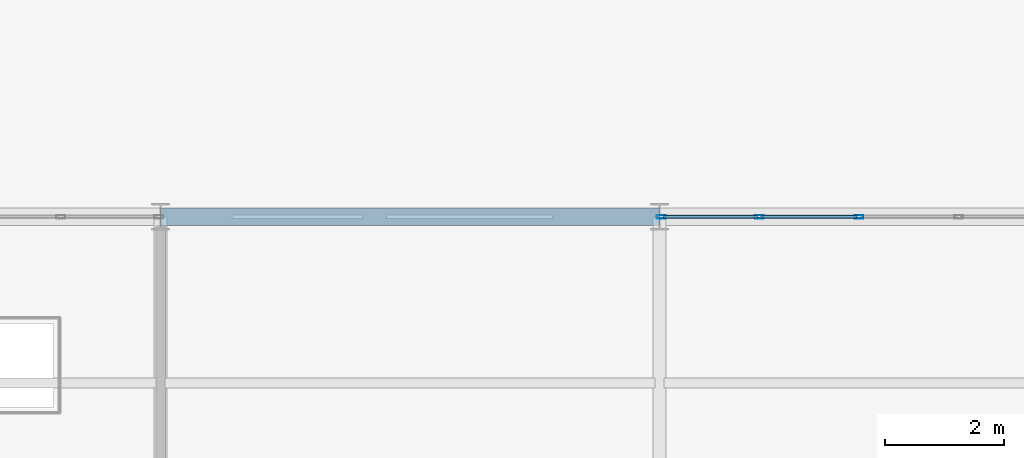
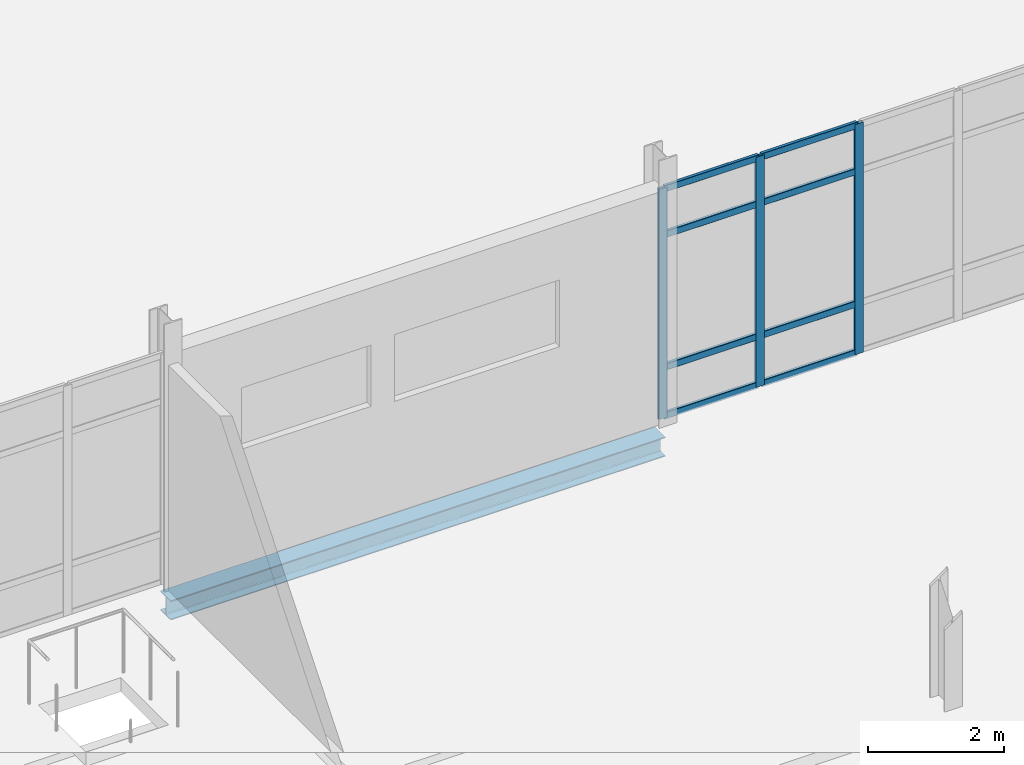
# One storey, part 100 of 145: 11 members, 1 beam, 1 element without a shape of its own.
"""IFC4 building model written with IfcOpenShell, lengths in metres."""

from ifc_helpers import new_model, si_unit, direction, frame, origin, origin_2d, place, context, subcontext, project, spatial, hollow_rectangle, i_section, extrude, material, layer, layer_set, material_profile, profile_set, type_object, element, aggregate, save


model = new_model("IFC4")

# Units and contexts
model_context = context("Model", 3, precision=1e-05, world=origin(), true_north=direction((0.0, 1.0)))
body_context = subcontext(model_context, "Body", "Model", "MODEL_VIEW")
ifc_project = project(units=[si_unit("LENGTHUNIT", "METRE"), si_unit("AREAUNIT", "SQUARE_METRE"), si_unit("VOLUMEUNIT", "CUBIC_METRE"), si_unit("PLANEANGLEUNIT", "RADIAN"), si_unit("MASSUNIT", "GRAM", prefix="KILO")], contexts=[model_context])

# Site, building, storey
site_placement = place(None, origin())
site = spatial("IfcSite", under=ifc_project, at=site_placement, CompositionType="ELEMENT")
building_placement = place(site_placement, origin())
building = spatial("IfcBuilding", under=site, at=building_placement, Name="Qalvenar Corner Mobility Hub", CompositionType="ELEMENT")
storey_placement = place(building_placement, origin())
storey = spatial("IfcBuildingStorey", under=building, at=storey_placement, Name="L00", CompositionType="ELEMENT", Elevation=0.0)

# Beam
ifc_material_1 = material(Name="Steel S355", Category="steel")
ifc_material_profile_1 = material_profile(ifc_material_1, i_section(OverallWidth=0.300048828125, OverallDepth=0.35009765625, WebThickness=0.010009765625, FlangeThickness=0.017578125, FilletRadius=0.027099609375, at=origin_2d()), Name="HEA360")
ifc_profile_set_1 = profile_set([ifc_material_profile_1], Name="Steel S355")
beam_type = type_object("IfcBeamType", Name="BM-SPN360", PredefinedType="SPANDREL", material=ifc_profile_set_1)
beam_placement = place(storey_placement, frame((134.39990234375, 50.39990234375, -0.425048828125), z_axis=(1.0, 0.0, 0.0), x_axis=(0.0, 1.0, 0.0)))
element("IfcBeam", 1, at=beam_placement, inside=storey, type_object=beam_type, Name="Primary Steel Girder GX-0293", PredefinedType="SPANDREL", context=body_context, shape_type="SweptSolid", body=[
    extrude(i_section(OverallWidth=0.300048828125, OverallDepth=0.35009765625, WebThickness=0.010009765625, FlangeThickness=0.017578125, FilletRadius=0.027099609375, at=origin_2d()), origin(), (0.0, 0.0, 1.0), 8.400146484375),
])

# Curtain wall, members
ifc_material_2 = material(Name="Anodised Aluminium and Low-E Glazing", Category="aluminium")
ifc_layer = layer(ifc_material_2, 0.14990234375)
ifc_layer_set = layer_set([ifc_layer], Name="Anodised Aluminium and Low-E Glazing")
curtain_wall_type = type_object("IfcCurtainWallType", Name="CW-WKS-84X44", PredefinedType="NOTDEFINED", material=ifc_layer_set)
curtain_wall_placement = place(storey_placement, origin())
curtain_wall = element("IfcCurtainWall", 2, at=curtain_wall_placement, inside=storey, type_object=curtain_wall_type, Name="Glazed Curtain Wall CW-V6-L00-N4", PredefinedType="NOTDEFINED")
ifc_material_3 = material(Name="Anodised Aluminium 6063-T6", Category="aluminium")
ifc_material_profile_2 = material_profile(ifc_material_3, hollow_rectangle(XDim=0.06005859375, YDim=0.14990234375, WallThickness=0.00390625, InnerFilletRadius=0.00390625, OuterFilletRadius=0.008056640625, at=origin_2d()), Name="RHS150x60x4")
ifc_profile_set_2 = profile_set([ifc_material_profile_2], Name="Anodised Aluminium 6063-T6")
member_type_1 = type_object("IfcMemberType", Name="CW-MUL150", PredefinedType="MULLION", material=ifc_profile_set_2)
member_1_placement = place(storey_placement, frame((146.159912109375, 50.39990234375, 0.0), z_axis=(0.0, 0.0, 1.0), x_axis=(0.0, -1.0, 0.0)))
member_1 = element("IfcMember", 3, at=member_1_placement, type_object=member_type_1, Name="CW-09 mullion 4", PredefinedType="MULLION", context=body_context, shape_type="SweptSolid", body=[
    extrude(hollow_rectangle(XDim=0.06005859375, YDim=0.14990234375, WallThickness=0.00390625, InnerFilletRadius=0.00390625, OuterFilletRadius=0.008056640625, at=origin_2d()), origin(), (0.0, 0.0, 1.0), 4.1298828125),
])
member_2_placement = place(storey_placement, frame((144.47998046875, 50.39990234375, 0.0), z_axis=(0.0, 0.0, 1.0), x_axis=(0.0, -1.0, 0.0)))
member_2 = element("IfcMember", 4, at=member_2_placement, type_object=member_type_1, Name="CW-09 mullion 5", PredefinedType="MULLION", context=body_context, shape_type="SweptSolid", body=[
    extrude(hollow_rectangle(XDim=0.06005859375, YDim=0.14990234375, WallThickness=0.00390625, InnerFilletRadius=0.00390625, OuterFilletRadius=0.008056640625, at=origin_2d()), origin(), (0.0, 0.0, 1.0), 4.1298828125),
])
member_3_placement = place(storey_placement, frame((142.830078125, 50.39990234375, 0.0), z_axis=(0.0, 0.0, 1.0), x_axis=(0.0, -1.0, 0.0)))
member_3 = element("IfcMember", 5, at=member_3_placement, type_object=member_type_1, Name="CW-09 mullion 6", PredefinedType="MULLION", context=body_context, shape_type="SweptSolid", body=[
    extrude(hollow_rectangle(XDim=0.06005859375, YDim=0.14990234375, WallThickness=0.00390625, InnerFilletRadius=0.00390625, OuterFilletRadius=0.008056640625, at=origin_2d()), origin(), (0.0, 0.0, 1.0), 4.1298828125),
])
ifc_material_profile_3 = material_profile(ifc_material_3, hollow_rectangle(XDim=0.054931640625, YDim=0.1201171875, WallThickness=0.00341796875, InnerFilletRadius=0.00341796875, OuterFilletRadius=0.007080078125, at=origin_2d()), Name="RHS120x55x3.5")
ifc_profile_set_3 = profile_set([ifc_material_profile_3], Name="Anodised Aluminium 6063-T6")
member_type_2 = type_object("IfcMemberType", Name="CW-TRN120", PredefinedType="USERDEFINED", material=ifc_profile_set_3)
member_4_placement = place(storey_placement, frame((146.1298828125, 50.39990234375, 0.027587890625), z_axis=(-1.0, 0.0, 0.0), x_axis=(0.0, -1.0, 0.0)))
member_4 = element("IfcMember", 6, at=member_4_placement, type_object=member_type_2, Name="CW-09 transom 4.1", ObjectType="TRANSOM", PredefinedType="USERDEFINED", context=body_context, shape_type="SweptSolid", body=[
    extrude(hollow_rectangle(XDim=0.054931640625, YDim=0.1201171875, WallThickness=0.00341796875, InnerFilletRadius=0.00341796875, OuterFilletRadius=0.007080078125, at=origin_2d()), origin(), (0.0, 0.0, 1.0), 1.619873046875),
])
member_5_placement = place(storey_placement, frame((146.1298828125, 50.39990234375, 0.89990234375), z_axis=(-1.0, 0.0, 0.0), x_axis=(0.0, -1.0, 0.0)))
member_5 = element("IfcMember", 7, at=member_5_placement, type_object=member_type_2, Name="CW-09 transom 4.2", ObjectType="TRANSOM", PredefinedType="USERDEFINED", context=body_context, shape_type="SweptSolid", body=[
    extrude(hollow_rectangle(XDim=0.054931640625, YDim=0.1201171875, WallThickness=0.00341796875, InnerFilletRadius=0.00341796875, OuterFilletRadius=0.007080078125, at=origin_2d()), origin(), (0.0, 0.0, 1.0), 1.619873046875),
])
member_6_placement = place(storey_placement, frame((146.1298828125, 50.39990234375, 3.280029296875), z_axis=(-1.0, 0.0, 0.0), x_axis=(0.0, -1.0, 0.0)))
member_6 = element("IfcMember", 8, at=member_6_placement, type_object=member_type_2, Name="CW-09 transom 4.3", ObjectType="TRANSOM", PredefinedType="USERDEFINED", context=body_context, shape_type="SweptSolid", body=[
    extrude(hollow_rectangle(XDim=0.054931640625, YDim=0.1201171875, WallThickness=0.00341796875, InnerFilletRadius=0.00341796875, OuterFilletRadius=0.007080078125, at=origin_2d()), origin(), (0.0, 0.0, 1.0), 1.619873046875),
])
member_7_placement = place(storey_placement, frame((146.1298828125, 50.39990234375, 4.1025390625), z_axis=(-1.0, 0.0, 0.0), x_axis=(0.0, -1.0, 0.0)))
member_7 = element("IfcMember", 9, at=member_7_placement, type_object=member_type_2, Name="CW-09 transom 4.4", ObjectType="TRANSOM", PredefinedType="USERDEFINED", context=body_context, shape_type="SweptSolid", body=[
    extrude(hollow_rectangle(XDim=0.054931640625, YDim=0.1201171875, WallThickness=0.00341796875, InnerFilletRadius=0.00341796875, OuterFilletRadius=0.007080078125, at=origin_2d()), origin(), (0.0, 0.0, 1.0), 1.619873046875),
])
member_8_placement = place(storey_placement, frame((144.449951171875, 50.39990234375, 0.027587890625), z_axis=(-1.0, 0.0, 0.0), x_axis=(0.0, -1.0, 0.0)))
member_8 = element("IfcMember", 10, at=member_8_placement, type_object=member_type_2, Name="CW-09 transom 5.1", ObjectType="TRANSOM", PredefinedType="USERDEFINED", context=body_context, shape_type="SweptSolid", body=[
    extrude(hollow_rectangle(XDim=0.054931640625, YDim=0.1201171875, WallThickness=0.00341796875, InnerFilletRadius=0.00341796875, OuterFilletRadius=0.007080078125, at=origin_2d()), origin(), (0.0, 0.0, 1.0), 1.58984375),
])
member_9_placement = place(storey_placement, frame((144.449951171875, 50.39990234375, 0.89990234375), z_axis=(-1.0, 0.0, 0.0), x_axis=(0.0, -1.0, 0.0)))
member_9 = element("IfcMember", 11, at=member_9_placement, type_object=member_type_2, Name="CW-09 transom 5.2", ObjectType="TRANSOM", PredefinedType="USERDEFINED", context=body_context, shape_type="SweptSolid", body=[
    extrude(hollow_rectangle(XDim=0.054931640625, YDim=0.1201171875, WallThickness=0.00341796875, InnerFilletRadius=0.00341796875, OuterFilletRadius=0.007080078125, at=origin_2d()), origin(), (0.0, 0.0, 1.0), 1.58984375),
])
member_10_placement = place(storey_placement, frame((144.449951171875, 50.39990234375, 3.280029296875), z_axis=(-1.0, 0.0, 0.0), x_axis=(0.0, -1.0, 0.0)))
member_10 = element("IfcMember", 12, at=member_10_placement, type_object=member_type_2, Name="CW-09 transom 5.3", ObjectType="TRANSOM", PredefinedType="USERDEFINED", context=body_context, shape_type="SweptSolid", body=[
    extrude(hollow_rectangle(XDim=0.054931640625, YDim=0.1201171875, WallThickness=0.00341796875, InnerFilletRadius=0.00341796875, OuterFilletRadius=0.007080078125, at=origin_2d()), origin(), (0.0, 0.0, 1.0), 1.58984375),
])
member_11_placement = place(storey_placement, frame((144.449951171875, 50.39990234375, 4.1025390625), z_axis=(-1.0, 0.0, 0.0), x_axis=(0.0, -1.0, 0.0)))
member_11 = element("IfcMember", 13, at=member_11_placement, type_object=member_type_2, Name="CW-09 transom 5.4", ObjectType="TRANSOM", PredefinedType="USERDEFINED", context=body_context, shape_type="SweptSolid", body=[
    extrude(hollow_rectangle(XDim=0.054931640625, YDim=0.1201171875, WallThickness=0.00341796875, InnerFilletRadius=0.00341796875, OuterFilletRadius=0.007080078125, at=origin_2d()), origin(), (0.0, 0.0, 1.0), 1.58984375),
])
aggregate(curtain_wall, [member_1, member_2, member_3, member_4, member_5, member_6, member_7, member_8, member_9, member_10, member_11])

save(model, "model.ifc")
